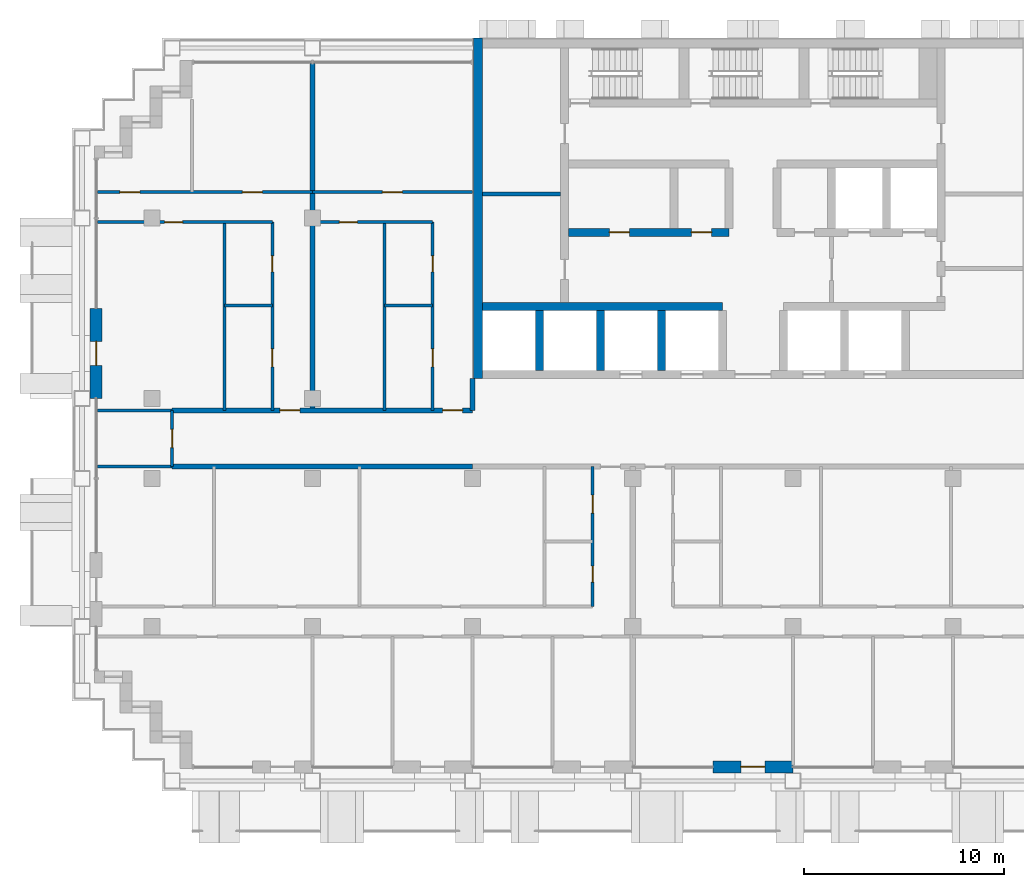
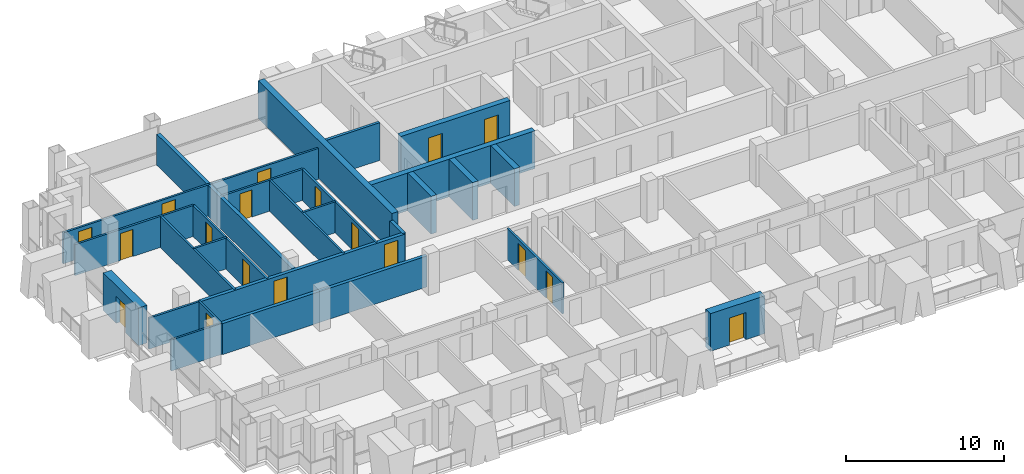
# One storey, part 8 of 16: 27 walls, 18 doors, 18 openings.
"""IFC4 building model written with IfcOpenShell, lengths in metres."""

from ifc_helpers import new_model, si_unit, direction, frame, frame_2d, origin, place, context, subcontext, project, spatial, rectangle, extrude, material, layer, layer_set, type_object, element, fill, save


model = new_model("IFC4")

# Units and contexts
model_context = context("Model", 3, precision=1e-05, world=origin(), true_north=direction((0.0, 1.0)))
body_context = subcontext(model_context, "Body", "Model", "MODEL_VIEW")
ifc_project = project(units=[si_unit("LENGTHUNIT", "METRE"), si_unit("AREAUNIT", "SQUARE_METRE"), si_unit("VOLUMEUNIT", "CUBIC_METRE"), si_unit("PLANEANGLEUNIT", "RADIAN"), si_unit("MASSUNIT", "GRAM", prefix="KILO")], contexts=[model_context])

# Site, building, storey
site_placement = place(None, origin())
site = spatial("IfcSite", under=ifc_project, at=site_placement, CompositionType="ELEMENT")
building_placement = place(site_placement, origin())
building = spatial("IfcBuilding", under=site, at=building_placement, Name="Vidyagriha Tower", CompositionType="ELEMENT")
storey_placement = place(building_placement, frame((0.0, 0.0, 145.39990234375)))
storey = spatial("IfcBuildingStorey", under=building, at=storey_placement, Name="L38", CompositionType="ELEMENT", Elevation=145.39990234375)

# Wall, opening, door
ifc_material_1 = material(Name="Precast concrete C40/50 with brick facing", Category="concrete")
ifc_layer_1 = layer(ifc_material_1, 0.60009765625)
ifc_layer_set_1 = layer_set([ifc_layer_1], Name="Precast concrete C40/50 with brick facing")
wall_type_1 = type_object("IfcWallType", Name="Brick-faced precast wall 600", PredefinedType="STANDARD", material=ifc_layer_set_1)
wall_1_placement = place(storey_placement, frame((-32.800048828125, 6.5, 0.0), z_axis=(0.0, 0.0, 1.0), x_axis=(0.0, -1.0, 0.0)))
wall_1 = element("IfcWall", 1, at=wall_1_placement, inside=storey, type_object=wall_type_1, Name="Brick door bay wall L38 R16.3", PredefinedType="STANDARD", context=body_context, shape_type="SweptSolid", body=[
    extrude(rectangle(XDim=4.5, YDim=0.60009765625, at=frame_2d((2.25, 0.0))), origin(), (0.0, 0.0, 1.0), 2.920166015625),
])
opening_1_placement = place(wall_1_placement, frame((1.64990234375, 0.0, 0.0)))
opening_1 = element("IfcOpeningElement", 2, at=opening_1_placement, cuts=wall_1, Name="Opening D38-65", PredefinedType="OPENING", context=body_context, shape_type="SweptSolid", body=[
    extrude(rectangle(XDim=1.199951171875, YDim=2.10009765625, at=frame_2d((0.60009765625, 1.050048828125))), frame((0.0, 0.31005859375, 0.0), z_axis=(0.0, -1.0, 0.0), x_axis=(1.0, 0.0, 0.0)), (0.0, 0.0, 1.0), 0.6201171875),
])
ifc_material_2 = material(Name="Aluminium framed glazed sliding door", Category="aluminium")
door_type_1 = type_object("IfcDoorType", Name="Balcony sliding door 1200x2100", OperationType="NOTDEFINED", PredefinedType="DOOR", material=ifc_material_2)
door_1_placement = place(opening_1_placement, origin())
door_1 = element("IfcDoor", 3, at=door_1_placement, inside=storey, type_object=door_type_1, Name="Door D38-65", OperationType="SLIDING_TO_LEFT", OverallHeight=2.10009765625, OverallWidth=1.199951171875, PredefinedType="DOOR", context=body_context, shape_type="SweptSolid", body=[
    extrude(rectangle(XDim=1.199951171875, YDim=2.10009765625, at=frame_2d((0.60009765625, 1.050048828125))), frame((0.0, 0.02490234375, 0.0), z_axis=(0.0, -1.0, 0.0), x_axis=(1.0, 0.0, 0.0)), (0.0, 0.0, 1.0), 0.050048828125),
])
fill(opening_1, door_1)

wall_2_placement = place(storey_placement, frame((-2.0, -16.39990234375, 0.0)))
wall_2 = element("IfcWall", 4, at=wall_2_placement, inside=storey, type_object=wall_type_1, Name="Brick door bay wall L38 R23.8", PredefinedType="STANDARD", context=body_context, shape_type="SweptSolid", body=[
    extrude(rectangle(XDim=4.0, YDim=0.60009765625, at=frame_2d((2.0, 0.0))), origin(), (0.0, 0.0, 1.0), 2.920166015625),
])
opening_2_placement = place(wall_2_placement, frame((1.39990234375, 0.0, 0.0)))
opening_2 = element("IfcOpeningElement", 5, at=opening_2_placement, cuts=wall_2, Name="Opening D38-70", PredefinedType="OPENING", context=body_context, shape_type="SweptSolid", body=[
    extrude(rectangle(XDim=1.199951171875, YDim=2.10009765625, at=frame_2d((0.60009765625, 1.050048828125))), frame((0.0, 0.31005859375, 0.0), z_axis=(0.0, -1.0, 0.0), x_axis=(1.0, 0.0, 0.0)), (0.0, 0.0, 1.0), 0.6201171875),
])
door_2_placement = place(opening_2_placement, origin())
door_2 = element("IfcDoor", 6, at=door_2_placement, inside=storey, type_object=door_type_1, Name="Door D38-70", OperationType="SLIDING_TO_LEFT", OverallHeight=2.10009765625, OverallWidth=1.199951171875, PredefinedType="DOOR", context=body_context, shape_type="SweptSolid", body=[
    extrude(rectangle(XDim=1.199951171875, YDim=2.10009765625, at=frame_2d((0.60009765625, 1.050048828125))), frame((0.0, 0.02490234375, 0.0), z_axis=(0.0, -1.0, 0.0), x_axis=(1.0, 0.0, 0.0)), (0.0, 0.0, 1.0), 0.050048828125),
])
fill(opening_2, door_2)

# Walls
ifc_material_3 = material(Name="Concrete C60/75", Category="concrete")
ifc_layer_2 = layer(ifc_material_3, 0.39990234375)
ifc_layer_set_2 = layer_set([ifc_layer_2], Name="Concrete C60/75")
wall_type_2 = type_object("IfcWallType", Name="Core shear wall 400 mm", PredefinedType="SHEAR", material=ifc_layer_set_2)
wall_3_placement = place(storey_placement, frame((-13.5, 6.60009765625, 0.0)))
element("IfcWall", 7, at=wall_3_placement, inside=storey, type_object=wall_type_2, Name="Core lobby south wall west", PredefinedType="SHEAR", context=body_context, shape_type="SweptSolid", body=[
    extrude(rectangle(XDim=11.977783203125, YDim=0.39990234375, at=frame_2d((5.98876953125, 0.0))), origin(), (0.0, 0.0, 1.0), 2.920166015625),
])
for number, where, z_axis, x_axis, name in (
    (8, (-10.655517578125, 3.39990234375, 0.0), (0.0, 0.0, 1.0), (0.0, 1.0, 0.0), "Core bay wall S1"),
    (9, (-7.611083984375, 3.39990234375, 0.0), (0.0, 0.0, 1.0), (0.0, 1.0, 0.0), "Core bay wall S2"),
    (10, (-4.566650390625, 3.39990234375, 0.0), (0.0, 0.0, 1.0), (0.0, 1.0, 0.0), "Core bay wall S3"),
):
    element("IfcWall", number, at=place(storey_placement, frame(where, z_axis=z_axis, x_axis=x_axis)), inside=storey, type_object=wall_type_2, Name=name, PredefinedType="SHEAR", context=body_context, shape_type="SweptSolid", body=[
        extrude(rectangle(XDim=3.0, YDim=0.39990234375, at=frame_2d((1.5, 0.0))), origin(), (0.0, 0.0, 1.0), 2.920166015625),
    ])

# Wall, openings, doors
wall_4_placement = place(storey_placement, frame((-9.199951171875, 10.300048828125, 0.0)))
wall_4 = element("IfcWall", 11, at=wall_4_placement, inside=storey, type_object=wall_type_2, Name="Core row N front wall", PredefinedType="SHEAR", context=body_context, shape_type="SweptSolid", body=[
    extrude(rectangle(XDim=8.0, YDim=0.39990234375, at=frame_2d((4.0, 0.0))), origin(), (0.0, 0.0, 1.0), 2.920166015625),
])
opening_3_placement = place(wall_4_placement, frame((2.033203125, 0.0, 0.0)))
opening_3 = element("IfcOpeningElement", 12, at=opening_3_placement, cuts=wall_4, Name="Opening D38-02", PredefinedType="OPENING", context=body_context, shape_type="SweptSolid", body=[
    extrude(rectangle(XDim=1.0, YDim=2.10009765625, at=frame_2d((0.5, 1.050048828125))), frame((0.0, 0.2099609375, 0.0), z_axis=(0.0, -1.0, 0.0), x_axis=(1.0, 0.0, 0.0)), (0.0, 0.0, 1.0), 0.419921875),
])
opening_4_placement = place(wall_4_placement, frame((6.13330078125, 0.0, 0.0)))
opening_4 = element("IfcOpeningElement", 13, at=opening_4_placement, cuts=wall_4, Name="Opening D38-03", PredefinedType="OPENING", context=body_context, shape_type="SweptSolid", body=[
    extrude(rectangle(XDim=1.0, YDim=2.10009765625, at=frame_2d((0.5, 1.050048828125))), frame((0.0, 0.2099609375, 0.0), z_axis=(0.0, -1.0, 0.0), x_axis=(1.0, 0.0, 0.0)), (0.0, 0.0, 1.0), 0.419921875),
])
ifc_material_4 = material(Name="Hollow metal door leaf")
door_type_2 = type_object("IfcDoorType", Name="Core room door 1000 x 2100 mm EI 60", OperationType="NOTDEFINED", PredefinedType="DOOR", material=ifc_material_4)
door_3_placement = place(opening_3_placement, frame((1.0, 0.0, 0.0), z_axis=(0.0, 0.0, 1.0), x_axis=(-1.0, 0.0, 0.0)))
door_3 = element("IfcDoor", 14, at=door_3_placement, inside=storey, type_object=door_type_2, Name="Door Communications Room 38.14", OperationType="SINGLE_SWING_RIGHT", OverallHeight=2.10009765625, OverallWidth=1.0, PredefinedType="DOOR", context=body_context, shape_type="SweptSolid", body=[
    extrude(rectangle(XDim=1.0, YDim=2.10009765625, at=frame_2d((0.5, 1.050048828125))), frame((0.0, 0.02490234375, 0.0), z_axis=(0.0, -1.0, 0.0), x_axis=(1.0, 0.0, 0.0)), (0.0, 0.0, 1.0), 0.050048828125),
])
fill(opening_3, door_3)
door_4_placement = place(opening_4_placement, frame((1.0, 0.0, 0.0), z_axis=(0.0, 0.0, 1.0), x_axis=(-1.0, 0.0, 0.0)))
door_4 = element("IfcDoor", 15, at=door_4_placement, inside=storey, type_object=door_type_2, Name="Door Refuse Room 38.15", OperationType="SINGLE_SWING_LEFT", OverallHeight=2.10009765625, OverallWidth=1.0, PredefinedType="DOOR", context=body_context, shape_type="SweptSolid", body=[
    extrude(rectangle(XDim=1.0, YDim=2.10009765625, at=frame_2d((0.5, 1.050048828125))), frame((0.0, 0.02490234375, 0.0), z_axis=(0.0, -1.0, 0.0), x_axis=(1.0, 0.0, 0.0)), (0.0, 0.0, 1.0), 0.050048828125),
])
fill(opening_4, door_4)

# Walls
ifc_material_5 = material(Name="Concrete C60/75", Category="concrete")
ifc_layer_3 = layer(ifc_material_5, 0.449951171875)
ifc_layer_set_3 = layer_set([ifc_layer_3], Name="Concrete C60/75")
wall_type_3 = type_object("IfcWallType", Name="Core shear wall 450 mm", PredefinedType="SHEAR", material=ifc_layer_set_3)
wall_5_placement = place(storey_placement, frame((-13.72509765625, 3.0, 0.0), z_axis=(0.0, 0.0, 1.0), x_axis=(0.0, 1.0, 0.0)))
element("IfcWall", 16, at=wall_5_placement, inside=storey, type_object=wall_type_3, Name="Core west wall", PredefinedType="SHEAR", context=body_context, shape_type="SweptSolid", body=[
    extrude(rectangle(XDim=17.0, YDim=0.449951171875, at=frame_2d((8.5, 0.0))), origin(), (0.0, 0.0, 1.0), 2.920166015625),
])
ifc_material_6 = material(Name="Fired clay brick masonry", Category="masonry")
ifc_layer_4 = layer(ifc_material_6, 0.25)
ifc_layer_set_4 = layer_set([ifc_layer_4], Name="Fired clay brick masonry")
wall_type_4 = type_object("IfcWallType", Name="Fired clay brick corridor wall 250", PredefinedType="PARTITIONING", material=ifc_layer_set_4)
wall_6_placement = place(storey_placement, frame((-14.0, -1.39990234375, 0.0), z_axis=(0.0, 0.0, 1.0), x_axis=(-1.0, 0.0, 0.0)))
element("IfcWall", 17, at=wall_6_placement, inside=storey, type_object=wall_type_4, Name="Wall all-L38-w063", PredefinedType="PARTITIONING", context=body_context, shape_type="SweptSolid", body=[
    extrude(rectangle(XDim=15.0, YDim=0.25, at=frame_2d((7.5, 0.0))), origin(), (0.0, 0.0, 1.0), 2.400146484375),
])

# Wall, openings, doors
wall_7_placement = place(storey_placement, frame((-29.0, 1.39990234375, 0.0)))
wall_7 = element("IfcWall", 18, at=wall_7_placement, inside=storey, type_object=wall_type_4, Name="Wall all-L38-w090", PredefinedType="PARTITIONING", context=body_context, shape_type="SweptSolid", body=[
    extrude(rectangle(XDim=15.0, YDim=0.25, at=frame_2d((7.5, 0.0))), origin(), (0.0, 0.0, 1.0), 2.400146484375),
])
opening_5_placement = place(wall_7_placement, frame((5.382080078125, 0.0, 0.0)))
opening_5 = element("IfcOpeningElement", 19, at=opening_5_placement, cuts=wall_7, Name="Opening D38-49", PredefinedType="OPENING", context=body_context, shape_type="SweptSolid", body=[
    extrude(rectangle(XDim=1.0, YDim=2.10009765625, at=frame_2d((0.5, 1.050048828125))), frame((0.0, 0.135009765625, 0.0), z_axis=(0.0, -1.0, 0.0), x_axis=(1.0, 0.0, 0.0)), (0.0, 0.0, 1.0), 0.27001953125),
])
opening_6_placement = place(wall_7_placement, frame((13.5, 0.0, 0.0)))
opening_6 = element("IfcOpeningElement", 20, at=opening_6_placement, cuts=wall_7, Name="Opening D38-54", PredefinedType="OPENING", context=body_context, shape_type="SweptSolid", body=[
    extrude(rectangle(XDim=1.0, YDim=2.10009765625, at=frame_2d((0.5, 1.050048828125))), frame((0.0, 0.135009765625, 0.0), z_axis=(0.0, -1.0, 0.0), x_axis=(1.0, 0.0, 0.0)), (0.0, 0.0, 1.0), 0.27001953125),
])
ifc_material_7 = material(Name="Fire-rated timber door leaf EI 60", Category="wood")
door_type_3 = type_object("IfcDoorType", Name="Flat entrance fire door 1000x2100", OperationType="NOTDEFINED", PredefinedType="DOOR", material=ifc_material_7)
door_5_placement = place(opening_5_placement, origin())
door_5 = element("IfcDoor", 21, at=door_5_placement, inside=storey, type_object=door_type_3, Name="Door D38-49", OperationType="SINGLE_SWING_RIGHT", OverallHeight=2.10009765625, OverallWidth=1.0, PredefinedType="DOOR", context=body_context, shape_type="SweptSolid", body=[
    extrude(rectangle(XDim=1.0, YDim=2.10009765625, at=frame_2d((0.5, 1.050048828125))), frame((0.0, 0.02490234375, 0.0), z_axis=(0.0, -1.0, 0.0), x_axis=(1.0, 0.0, 0.0)), (0.0, 0.0, 1.0), 0.050048828125),
])
fill(opening_5, door_5)
door_6_placement = place(opening_6_placement, origin())
door_6 = element("IfcDoor", 22, at=door_6_placement, inside=storey, type_object=door_type_3, Name="Door D38-54", OperationType="SINGLE_SWING_RIGHT", OverallHeight=2.10009765625, OverallWidth=1.0, PredefinedType="DOOR", context=body_context, shape_type="SweptSolid", body=[
    extrude(rectangle(XDim=1.0, YDim=2.10009765625, at=frame_2d((0.5, 1.050048828125))), frame((0.0, 0.02490234375, 0.0), z_axis=(0.0, -1.0, 0.0), x_axis=(1.0, 0.0, 0.0)), (0.0, 0.0, 1.0), 0.050048828125),
])
fill(opening_6, door_6)

# Walls
wall_8_placement = place(storey_placement, frame((-14.0, 3.0, 0.0), z_axis=(0.0, 0.0, 1.0), x_axis=(0.0, -1.0, 0.0)))
element("IfcWall", 23, at=wall_8_placement, inside=storey, type_object=wall_type_4, Name="Wall all-L38-w115", PredefinedType="PARTITIONING", context=body_context, shape_type="SweptSolid", body=[
    extrude(rectangle(XDim=1.60009765625, YDim=0.25, at=frame_2d((0.800048828125, 0.0))), origin(), (0.0, 0.0, 1.0), 2.400146484375),
])
ifc_material_8 = material(Name="Fired clay brick masonry", Category="masonry")
ifc_layer_5 = layer(ifc_material_8, 0.25)
ifc_layer_set_5 = layer_set([ifc_layer_5], Name="Fired clay brick masonry")
wall_type_5 = type_object("IfcWallType", Name="Fired clay brick demising wall 250", PredefinedType="PARTITIONING", material=ifc_layer_set_5)
wall_9_placement = place(storey_placement, frame((-22.0, 18.720947265625, 0.0), z_axis=(0.0, 0.0, 1.0), x_axis=(0.0, -1.0, 0.0)))
element("IfcWall", 24, at=wall_9_placement, inside=storey, type_object=wall_type_5, Name="Wall all-L38-w089", PredefinedType="PARTITIONING", context=body_context, shape_type="SweptSolid", body=[
    extrude(rectangle(XDim=17.321044921875, YDim=0.25, at=frame_2d((8.66064453125, 0.0))), origin(), (0.0, 0.0, 1.0), 2.400146484375),
])
ifc_material_9 = material(Name="Gypsum board partition")
ifc_layer_6 = layer(ifc_material_9, 0.14990234375)
ifc_layer_set_6 = layer_set([ifc_layer_6], Name="Gypsum board partition")
wall_type_6 = type_object("IfcWallType", Name="Gypsum board partition 150", PredefinedType="PARTITIONING", material=ifc_layer_set_6)
wall_10_placement = place(storey_placement, frame((-29.0, -1.39990234375, 0.0), z_axis=(0.0, 0.0, 1.0), x_axis=(-1.0, 0.0, 0.0)))
element("IfcWall", 25, at=wall_10_placement, inside=storey, type_object=wall_type_6, Name="Wall all-L38-w064", PredefinedType="PARTITIONING", context=body_context, shape_type="SweptSolid", body=[
    extrude(rectangle(XDim=3.719970703125, YDim=0.14990234375, at=frame_2d((1.85986328125, 0.0))), origin(), (0.0, 0.0, 1.0), 2.400146484375),
])
wall_11_placement = place(storey_placement, frame((-26.39990234375, 6.64990234375, 0.0)))
element("IfcWall", 26, at=wall_11_placement, inside=storey, type_object=wall_type_6, Name="Wall all-L38-w070", PredefinedType="PARTITIONING", context=body_context, shape_type="SweptSolid", body=[
    extrude(rectangle(XDim=2.39990234375, YDim=0.14990234375, at=frame_2d((1.199951171875, 0.0))), origin(), (0.0, 0.0, 1.0), 2.400146484375),
])
wall_12_placement = place(storey_placement, frame((-26.39990234375, 1.39990234375, 0.0), z_axis=(0.0, 0.0, 1.0), x_axis=(0.0, 1.0, 0.0)))
element("IfcWall", 27, at=wall_12_placement, inside=storey, type_object=wall_type_6, Name="Wall all-L38-w071", PredefinedType="PARTITIONING", context=body_context, shape_type="SweptSolid", body=[
    extrude(rectangle(XDim=9.400146484375, YDim=0.14990234375, at=frame_2d((4.7001953125, 0.0))), origin(), (0.0, 0.0, 1.0), 2.400146484375),
])

# Wall, opening, door
wall_13_placement = place(storey_placement, frame((-24.0, 10.800048828125, 0.0), z_axis=(0.0, 0.0, 1.0), x_axis=(-1.0, 0.0, 0.0)))
wall_13 = element("IfcWall", 28, at=wall_13_placement, inside=storey, type_object=wall_type_6, Name="Wall all-L38-w072", PredefinedType="PARTITIONING", context=body_context, shape_type="SweptSolid", body=[
    extrude(rectangle(XDim=8.719970703125, YDim=0.14990234375, at=frame_2d((4.35986328125, 0.0))), origin(), (0.0, 0.0, 1.0), 2.400146484375),
])
opening_7_placement = place(wall_13_placement, frame((4.48193359375, 0.0, 0.0)))
opening_7 = element("IfcOpeningElement", 29, at=opening_7_placement, cuts=wall_13, Name="Opening D38-46", PredefinedType="OPENING", context=body_context, shape_type="SweptSolid", body=[
    extrude(rectangle(XDim=0.89990234375, YDim=2.10009765625, at=frame_2d((0.449951171875, 1.050048828125))), frame((0.0, 0.0849609375, 0.0), z_axis=(0.0, -1.0, 0.0), x_axis=(1.0, 0.0, 0.0)), (0.0, 0.0, 1.0), 0.169921875),
])
ifc_material_10 = material(Name="Timber door leaf", Category="wood")
door_type_4 = type_object("IfcDoorType", Name="Room door 900x2100", OperationType="NOTDEFINED", PredefinedType="DOOR", material=ifc_material_10)
door_7_placement = place(opening_7_placement, origin())
door_7 = element("IfcDoor", 30, at=door_7_placement, inside=storey, type_object=door_type_4, Name="Door D38-46", OperationType="SINGLE_SWING_LEFT", OverallHeight=2.10009765625, OverallWidth=0.89990234375, PredefinedType="DOOR", context=body_context, shape_type="SweptSolid", body=[
    extrude(rectangle(XDim=0.89990234375, YDim=2.10009765625, at=frame_2d((0.449951171875, 1.050048828125))), frame((0.0, 0.02490234375, 0.0), z_axis=(0.0, -1.0, 0.0), x_axis=(1.0, 0.0, 0.0)), (0.0, 0.0, 1.0), 0.050048828125),
])
fill(opening_7, door_7)

# Wall, openings, doors
wall_14_placement = place(storey_placement, frame((-32.719970703125, 12.300048828125, 0.0)))
wall_14 = element("IfcWall", 31, at=wall_14_placement, inside=storey, type_object=wall_type_6, Name="Wall all-L38-w074", PredefinedType="PARTITIONING", context=body_context, shape_type="SweptSolid", body=[
    extrude(rectangle(XDim=10.719970703125, YDim=0.14990234375, at=frame_2d((5.35986328125, 0.0))), origin(), (0.0, 0.0, 1.0), 2.400146484375),
])
opening_8_placement = place(wall_14_placement, frame((1.10205078125, 0.0, 0.0)))
opening_8 = element("IfcOpeningElement", 32, at=opening_8_placement, cuts=wall_14, Name="Opening D38-47", PredefinedType="OPENING", context=body_context, shape_type="SweptSolid", body=[
    extrude(rectangle(XDim=1.0, YDim=2.10009765625, at=frame_2d((0.5, 1.050048828125))), frame((0.0, 0.0849609375, 0.0), z_axis=(0.0, -1.0, 0.0), x_axis=(1.0, 0.0, 0.0)), (0.0, 0.0, 1.0), 0.169921875),
])
opening_9_placement = place(wall_14_placement, frame((7.219970703125, 0.0, 0.0)))
opening_9 = element("IfcOpeningElement", 33, at=opening_9_placement, cuts=wall_14, Name="Opening D38-48", PredefinedType="OPENING", context=body_context, shape_type="SweptSolid", body=[
    extrude(rectangle(XDim=1.0, YDim=2.10009765625, at=frame_2d((0.5, 1.050048828125))), frame((0.0, 0.0849609375, 0.0), z_axis=(0.0, -1.0, 0.0), x_axis=(1.0, 0.0, 0.0)), (0.0, 0.0, 1.0), 0.169921875),
])
ifc_material_11 = material(Name="Timber door leaf", Category="wood")
door_type_5 = type_object("IfcDoorType", Name="Room door 1000x2100", OperationType="NOTDEFINED", PredefinedType="DOOR", material=ifc_material_11)
door_8_placement = place(opening_8_placement, origin())
door_8 = element("IfcDoor", 34, at=door_8_placement, inside=storey, type_object=door_type_5, Name="Door D38-47", OperationType="SINGLE_SWING_LEFT", OverallHeight=2.10009765625, OverallWidth=1.0, PredefinedType="DOOR", context=body_context, shape_type="SweptSolid", body=[
    extrude(rectangle(XDim=1.0, YDim=2.10009765625, at=frame_2d((0.5, 1.050048828125))), frame((0.0, 0.02490234375, 0.0), z_axis=(0.0, -1.0, 0.0), x_axis=(1.0, 0.0, 0.0)), (0.0, 0.0, 1.0), 0.050048828125),
])
fill(opening_8, door_8)
door_9_placement = place(opening_9_placement, origin())
door_9 = element("IfcDoor", 35, at=door_9_placement, inside=storey, type_object=door_type_5, Name="Door D38-48", OperationType="SINGLE_SWING_RIGHT", OverallHeight=2.10009765625, OverallWidth=1.0, PredefinedType="DOOR", context=body_context, shape_type="SweptSolid", body=[
    extrude(rectangle(XDim=1.0, YDim=2.10009765625, at=frame_2d((0.5, 1.050048828125))), frame((0.0, 0.02490234375, 0.0), z_axis=(0.0, -1.0, 0.0), x_axis=(1.0, 0.0, 0.0)), (0.0, 0.0, 1.0), 0.050048828125),
])
fill(opening_9, door_9)

# Walls
wall_15_placement = place(storey_placement, frame((-18.39990234375, 6.64990234375, 0.0)))
element("IfcWall", 36, at=wall_15_placement, inside=storey, type_object=wall_type_6, Name="Wall all-L38-w082", PredefinedType="PARTITIONING", context=body_context, shape_type="SweptSolid", body=[
    extrude(rectangle(XDim=2.39990234375, YDim=0.14990234375, at=frame_2d((1.199951171875, 0.0))), origin(), (0.0, 0.0, 1.0), 2.400146484375),
])
wall_16_placement = place(storey_placement, frame((-18.39990234375, 1.39990234375, 0.0), z_axis=(0.0, 0.0, 1.0), x_axis=(0.0, 1.0, 0.0)))
element("IfcWall", 37, at=wall_16_placement, inside=storey, type_object=wall_type_6, Name="Wall all-L38-w083", PredefinedType="PARTITIONING", context=body_context, shape_type="SweptSolid", body=[
    extrude(rectangle(XDim=9.400146484375, YDim=0.14990234375, at=frame_2d((4.7001953125, 0.0))), origin(), (0.0, 0.0, 1.0), 2.400146484375),
])

# Wall, opening, door
wall_17_placement = place(storey_placement, frame((-16.0, 10.800048828125, 0.0), z_axis=(0.0, 0.0, 1.0), x_axis=(-1.0, 0.0, 0.0)))
wall_17 = element("IfcWall", 38, at=wall_17_placement, inside=storey, type_object=wall_type_6, Name="Wall all-L38-w084", PredefinedType="PARTITIONING", context=body_context, shape_type="SweptSolid", body=[
    extrude(rectangle(XDim=6.0, YDim=0.14990234375, at=frame_2d((3.0, 0.0))), origin(), (0.0, 0.0, 1.0), 2.400146484375),
])
opening_10_placement = place(wall_17_placement, frame((3.75, 0.0, 0.0)))
opening_10 = element("IfcOpeningElement", 39, at=opening_10_placement, cuts=wall_17, Name="Opening D38-52", PredefinedType="OPENING", context=body_context, shape_type="SweptSolid", body=[
    extrude(rectangle(XDim=0.89990234375, YDim=2.10009765625, at=frame_2d((0.449951171875, 1.050048828125))), frame((0.0, 0.0849609375, 0.0), z_axis=(0.0, -1.0, 0.0), x_axis=(1.0, 0.0, 0.0)), (0.0, 0.0, 1.0), 0.169921875),
])
door_10_placement = place(opening_10_placement, origin())
door_10 = element("IfcDoor", 40, at=door_10_placement, inside=storey, type_object=door_type_4, Name="Door D38-52", OperationType="SINGLE_SWING_RIGHT", OverallHeight=2.10009765625, OverallWidth=0.89990234375, PredefinedType="DOOR", context=body_context, shape_type="SweptSolid", body=[
    extrude(rectangle(XDim=0.89990234375, YDim=2.10009765625, at=frame_2d((0.449951171875, 1.050048828125))), frame((0.0, 0.02490234375, 0.0), z_axis=(0.0, -1.0, 0.0), x_axis=(1.0, 0.0, 0.0)), (0.0, 0.0, 1.0), 0.050048828125),
])
fill(opening_10, door_10)

wall_18_placement = place(storey_placement, frame((-22.0, 12.300048828125, 0.0)))
wall_18 = element("IfcWall", 41, at=wall_18_placement, inside=storey, type_object=wall_type_6, Name="Wall all-L38-w086", PredefinedType="PARTITIONING", context=body_context, shape_type="SweptSolid", body=[
    extrude(rectangle(XDim=8.0, YDim=0.14990234375, at=frame_2d((4.0, 0.0))), origin(), (0.0, 0.0, 1.0), 2.400146484375),
])
opening_11_placement = place(wall_18_placement, frame((3.5, 0.0, 0.0)))
opening_11 = element("IfcOpeningElement", 42, at=opening_11_placement, cuts=wall_18, Name="Opening D38-53", PredefinedType="OPENING", context=body_context, shape_type="SweptSolid", body=[
    extrude(rectangle(XDim=1.0, YDim=2.10009765625, at=frame_2d((0.5, 1.050048828125))), frame((0.0, 0.0849609375, 0.0), z_axis=(0.0, -1.0, 0.0), x_axis=(1.0, 0.0, 0.0)), (0.0, 0.0, 1.0), 0.169921875),
])
door_11_placement = place(opening_11_placement, origin())
door_11 = element("IfcDoor", 43, at=door_11_placement, inside=storey, type_object=door_type_5, Name="Door D38-53", OperationType="SINGLE_SWING_RIGHT", OverallHeight=2.10009765625, OverallWidth=1.0, PredefinedType="DOOR", context=body_context, shape_type="SweptSolid", body=[
    extrude(rectangle(XDim=1.0, YDim=2.10009765625, at=frame_2d((0.5, 1.050048828125))), frame((0.0, 0.02490234375, 0.0), z_axis=(0.0, -1.0, 0.0), x_axis=(1.0, 0.0, 0.0)), (0.0, 0.0, 1.0), 0.050048828125),
])
fill(opening_11, door_11)

# Wall
wall_19_placement = place(storey_placement, frame((-32.719970703125, 1.39990234375, 0.0)))
element("IfcWall", 44, at=wall_19_placement, inside=storey, type_object=wall_type_6, Name="Wall all-L38-w091", PredefinedType="PARTITIONING", context=body_context, shape_type="SweptSolid", body=[
    extrude(rectangle(XDim=3.719970703125, YDim=0.14990234375, at=frame_2d((1.85986328125, 0.0))), origin(), (0.0, 0.0, 1.0), 2.400146484375),
])

# Wall, opening, door
wall_20_placement = place(storey_placement, frame((-29.0, 1.39990234375, 0.0), z_axis=(0.0, 0.0, 1.0), x_axis=(0.0, -1.0, 0.0)))
wall_20 = element("IfcWall", 45, at=wall_20_placement, inside=storey, type_object=wall_type_6, Name="Wall all-L38-w110", PredefinedType="PARTITIONING", context=body_context, shape_type="SweptSolid", body=[
    extrude(rectangle(XDim=2.7998046875, YDim=0.14990234375, at=frame_2d((1.39990234375, 0.0))), origin(), (0.0, 0.0, 1.0), 2.400146484375),
])
opening_12_placement = place(wall_20_placement, frame((0.949951171875, 0.0, 0.0)))
opening_12 = element("IfcOpeningElement", 46, at=opening_12_placement, cuts=wall_20, Name="Opening D38-63", PredefinedType="OPENING", context=body_context, shape_type="SweptSolid", body=[
    extrude(rectangle(XDim=0.89990234375, YDim=2.10009765625, at=frame_2d((0.449951171875, 1.050048828125))), frame((0.0, 0.0849609375, 0.0), z_axis=(0.0, -1.0, 0.0), x_axis=(1.0, 0.0, 0.0)), (0.0, 0.0, 1.0), 0.169921875),
])
door_12_placement = place(opening_12_placement, origin())
door_12 = element("IfcDoor", 47, at=door_12_placement, inside=storey, type_object=door_type_4, Name="Door D38-63", OperationType="SINGLE_SWING_RIGHT", OverallHeight=2.10009765625, OverallWidth=0.89990234375, PredefinedType="DOOR", context=body_context, shape_type="SweptSolid", body=[
    extrude(rectangle(XDim=0.89990234375, YDim=2.10009765625, at=frame_2d((0.449951171875, 1.050048828125))), frame((0.0, 0.02490234375, 0.0), z_axis=(0.0, -1.0, 0.0), x_axis=(1.0, 0.0, 0.0)), (0.0, 0.0, 1.0), 0.050048828125),
])
fill(opening_12, door_12)

# Wall, openings, doors
ifc_material_12 = material(Name="Moisture resistant gypsum board partition")
ifc_layer_7 = layer(ifc_material_12, 0.14990234375)
ifc_layer_set_7 = layer_set([ifc_layer_7], Name="Moisture resistant gypsum board partition")
wall_type_7 = type_object("IfcWallType", Name="Gypsum board wet-area partition 150", PredefinedType="PARTITIONING", material=ifc_layer_set_7)
wall_21_placement = place(storey_placement, frame((-8.0, -8.39990234375, 0.0), z_axis=(0.0, 0.0, 1.0), x_axis=(0.0, 1.0, 0.0)))
wall_21 = element("IfcWall", 48, at=wall_21_placement, inside=storey, type_object=wall_type_7, Name="Wall all-L38-w001", PredefinedType="PARTITIONING", context=body_context, shape_type="SweptSolid", body=[
    extrude(rectangle(XDim=7.0, YDim=0.14990234375, at=frame_2d((3.5, 0.0))), origin(), (0.0, 0.0, 1.0), 2.400146484375),
])
opening_13_placement = place(wall_21_placement, frame((4.675048828125, 0.0, 0.0)))
opening_13 = element("IfcOpeningElement", 49, at=opening_13_placement, cuts=wall_21, Name="Opening D38-14", PredefinedType="OPENING", context=body_context, shape_type="SweptSolid", body=[
    extrude(rectangle(XDim=0.89990234375, YDim=2.10009765625, at=frame_2d((0.449951171875, 1.050048828125))), frame((0.0, 0.0849609375, 0.0), z_axis=(0.0, -1.0, 0.0), x_axis=(1.0, 0.0, 0.0)), (0.0, 0.0, 1.0), 0.169921875),
])
opening_14_placement = place(wall_21_placement, frame((1.22509765625, 0.0, 0.0)))
opening_14 = element("IfcOpeningElement", 50, at=opening_14_placement, cuts=wall_21, Name="Opening D38-15", PredefinedType="OPENING", context=body_context, shape_type="SweptSolid", body=[
    extrude(rectangle(XDim=0.800048828125, YDim=2.10009765625, at=frame_2d((0.39990234375, 1.050048828125))), frame((0.0, 0.0849609375, 0.0), z_axis=(0.0, -1.0, 0.0), x_axis=(1.0, 0.0, 0.0)), (0.0, 0.0, 1.0), 0.169921875),
])
ifc_material_13 = material(Name="Timber door leaf", Category="wood")
door_type_6 = type_object("IfcDoorType", Name="Bathroom door 800x2100", OperationType="NOTDEFINED", PredefinedType="DOOR", material=ifc_material_13)
door_13_placement = place(opening_14_placement, origin())
door_13 = element("IfcDoor", 51, at=door_13_placement, inside=storey, type_object=door_type_6, Name="Door D38-15", OperationType="SINGLE_SWING_RIGHT", OverallHeight=2.10009765625, OverallWidth=0.800048828125, PredefinedType="DOOR", context=body_context, shape_type="SweptSolid", body=[
    extrude(rectangle(XDim=0.800048828125, YDim=2.10009765625, at=frame_2d((0.39990234375, 1.050048828125))), frame((0.0, 0.02490234375, 0.0), z_axis=(0.0, -1.0, 0.0), x_axis=(1.0, 0.0, 0.0)), (0.0, 0.0, 1.0), 0.050048828125),
])
fill(opening_14, door_13)
ifc_material_14 = material(Name="Timber door leaf", Category="wood")
door_type_7 = type_object("IfcDoorType", Name="Kitchen door 900x2100", OperationType="NOTDEFINED", PredefinedType="DOOR", material=ifc_material_14)
door_14_placement = place(opening_13_placement, origin())
door_14 = element("IfcDoor", 52, at=door_14_placement, inside=storey, type_object=door_type_7, Name="Door D38-14", OperationType="SINGLE_SWING_LEFT", OverallHeight=2.10009765625, OverallWidth=0.89990234375, PredefinedType="DOOR", context=body_context, shape_type="SweptSolid", body=[
    extrude(rectangle(XDim=0.89990234375, YDim=2.10009765625, at=frame_2d((0.449951171875, 1.050048828125))), frame((0.0, 0.02490234375, 0.0), z_axis=(0.0, -1.0, 0.0), x_axis=(1.0, 0.0, 0.0)), (0.0, 0.0, 1.0), 0.050048828125),
])
fill(opening_13, door_14)

wall_22_placement = place(storey_placement, frame((-24.0, 1.39990234375, 0.0), z_axis=(0.0, 0.0, 1.0), x_axis=(0.0, 1.0, 0.0)))
wall_22 = element("IfcWall", 53, at=wall_22_placement, inside=storey, type_object=wall_type_7, Name="Wall all-L38-w067", PredefinedType="PARTITIONING", context=body_context, shape_type="SweptSolid", body=[
    extrude(rectangle(XDim=9.400146484375, YDim=0.14990234375, at=frame_2d((4.7001953125, 0.0))), origin(), (0.0, 0.0, 1.0), 2.400146484375),
])
opening_15_placement = place(wall_22_placement, frame((2.175048828125, 0.0, 0.0)))
opening_15 = element("IfcOpeningElement", 54, at=opening_15_placement, cuts=wall_22, Name="Opening D38-44", PredefinedType="OPENING", context=body_context, shape_type="SweptSolid", body=[
    extrude(rectangle(XDim=0.89990234375, YDim=2.10009765625, at=frame_2d((0.449951171875, 1.050048828125))), frame((0.0, 0.0849609375, 0.0), z_axis=(0.0, -1.0, 0.0), x_axis=(1.0, 0.0, 0.0)), (0.0, 0.0, 1.0), 0.169921875),
])
opening_16_placement = place(wall_22_placement, frame((6.925048828125, 0.0, 0.0)))
opening_16 = element("IfcOpeningElement", 55, at=opening_16_placement, cuts=wall_22, Name="Opening D38-45", PredefinedType="OPENING", context=body_context, shape_type="SweptSolid", body=[
    extrude(rectangle(XDim=0.800048828125, YDim=2.10009765625, at=frame_2d((0.39990234375, 1.050048828125))), frame((0.0, 0.0849609375, 0.0), z_axis=(0.0, -1.0, 0.0), x_axis=(1.0, 0.0, 0.0)), (0.0, 0.0, 1.0), 0.169921875),
])
door_15_placement = place(opening_16_placement, origin())
door_15 = element("IfcDoor", 56, at=door_15_placement, inside=storey, type_object=door_type_6, Name="Door D38-45", OperationType="SINGLE_SWING_LEFT", OverallHeight=2.10009765625, OverallWidth=0.800048828125, PredefinedType="DOOR", context=body_context, shape_type="SweptSolid", body=[
    extrude(rectangle(XDim=0.800048828125, YDim=2.10009765625, at=frame_2d((0.39990234375, 1.050048828125))), frame((0.0, 0.02490234375, 0.0), z_axis=(0.0, -1.0, 0.0), x_axis=(1.0, 0.0, 0.0)), (0.0, 0.0, 1.0), 0.050048828125),
])
fill(opening_16, door_15)
door_16_placement = place(opening_15_placement, origin())
door_16 = element("IfcDoor", 57, at=door_16_placement, inside=storey, type_object=door_type_7, Name="Door D38-44", OperationType="SINGLE_SWING_RIGHT", OverallHeight=2.10009765625, OverallWidth=0.89990234375, PredefinedType="DOOR", context=body_context, shape_type="SweptSolid", body=[
    extrude(rectangle(XDim=0.89990234375, YDim=2.10009765625, at=frame_2d((0.449951171875, 1.050048828125))), frame((0.0, 0.02490234375, 0.0), z_axis=(0.0, -1.0, 0.0), x_axis=(1.0, 0.0, 0.0)), (0.0, 0.0, 1.0), 0.050048828125),
])
fill(opening_15, door_16)

wall_23_placement = place(storey_placement, frame((-16.0, 1.39990234375, 0.0), z_axis=(0.0, 0.0, 1.0), x_axis=(0.0, 1.0, 0.0)))
wall_23 = element("IfcWall", 58, at=wall_23_placement, inside=storey, type_object=wall_type_7, Name="Wall all-L38-w079", PredefinedType="PARTITIONING", context=body_context, shape_type="SweptSolid", body=[
    extrude(rectangle(XDim=9.400146484375, YDim=0.14990234375, at=frame_2d((4.7001953125, 0.0))), origin(), (0.0, 0.0, 1.0), 2.400146484375),
])
opening_17_placement = place(wall_23_placement, frame((2.175048828125, 0.0, 0.0)))
opening_17 = element("IfcOpeningElement", 59, at=opening_17_placement, cuts=wall_23, Name="Opening D38-50", PredefinedType="OPENING", context=body_context, shape_type="SweptSolid", body=[
    extrude(rectangle(XDim=0.89990234375, YDim=2.10009765625, at=frame_2d((0.449951171875, 1.050048828125))), frame((0.0, 0.0849609375, 0.0), z_axis=(0.0, -1.0, 0.0), x_axis=(1.0, 0.0, 0.0)), (0.0, 0.0, 1.0), 0.169921875),
])
opening_18_placement = place(wall_23_placement, frame((6.925048828125, 0.0, 0.0)))
opening_18 = element("IfcOpeningElement", 60, at=opening_18_placement, cuts=wall_23, Name="Opening D38-51", PredefinedType="OPENING", context=body_context, shape_type="SweptSolid", body=[
    extrude(rectangle(XDim=0.800048828125, YDim=2.10009765625, at=frame_2d((0.39990234375, 1.050048828125))), frame((0.0, 0.0849609375, 0.0), z_axis=(0.0, -1.0, 0.0), x_axis=(1.0, 0.0, 0.0)), (0.0, 0.0, 1.0), 0.169921875),
])
door_17_placement = place(opening_18_placement, origin())
door_17 = element("IfcDoor", 61, at=door_17_placement, inside=storey, type_object=door_type_6, Name="Door D38-51", OperationType="SINGLE_SWING_LEFT", OverallHeight=2.10009765625, OverallWidth=0.800048828125, PredefinedType="DOOR", context=body_context, shape_type="SweptSolid", body=[
    extrude(rectangle(XDim=0.800048828125, YDim=2.10009765625, at=frame_2d((0.39990234375, 1.050048828125))), frame((0.0, 0.02490234375, 0.0), z_axis=(0.0, -1.0, 0.0), x_axis=(1.0, 0.0, 0.0)), (0.0, 0.0, 1.0), 0.050048828125),
])
fill(opening_18, door_17)
door_18_placement = place(opening_17_placement, origin())
door_18 = element("IfcDoor", 62, at=door_18_placement, inside=storey, type_object=door_type_7, Name="Door D38-50", OperationType="SINGLE_SWING_RIGHT", OverallHeight=2.10009765625, OverallWidth=0.89990234375, PredefinedType="DOOR", context=body_context, shape_type="SweptSolid", body=[
    extrude(rectangle(XDim=0.89990234375, YDim=2.10009765625, at=frame_2d((0.449951171875, 1.050048828125))), frame((0.0, 0.02490234375, 0.0), z_axis=(0.0, -1.0, 0.0), x_axis=(1.0, 0.0, 0.0)), (0.0, 0.0, 1.0), 0.050048828125),
])
fill(opening_17, door_18)

# Wall
ifc_material_15 = material(Name="Blockwork 15 MPa", Category="masonry")
ifc_layer_8 = layer(ifc_material_15, 0.199951171875)
ifc_layer_set_8 = layer_set([ifc_layer_8], Name="Blockwork 15 MPa")
wall_type_8 = type_object("IfcWallType", Name="Service room partition 200 mm", PredefinedType="PARTITIONING", material=ifc_layer_set_8)
wall_24_placement = place(storey_placement, frame((-13.5, 12.199951171875, 0.0)))
element("IfcWall", 63, at=wall_24_placement, inside=storey, type_object=wall_type_8, Name="Core room partition W1", PredefinedType="PARTITIONING", context=body_context, shape_type="SweptSolid", body=[
    extrude(rectangle(XDim=3.89990234375, YDim=0.199951171875, at=frame_2d((1.949951171875, 0.0))), origin(), (0.0, 0.0, 1.0), 2.920166015625),
])

save(model, "model.ifc")
